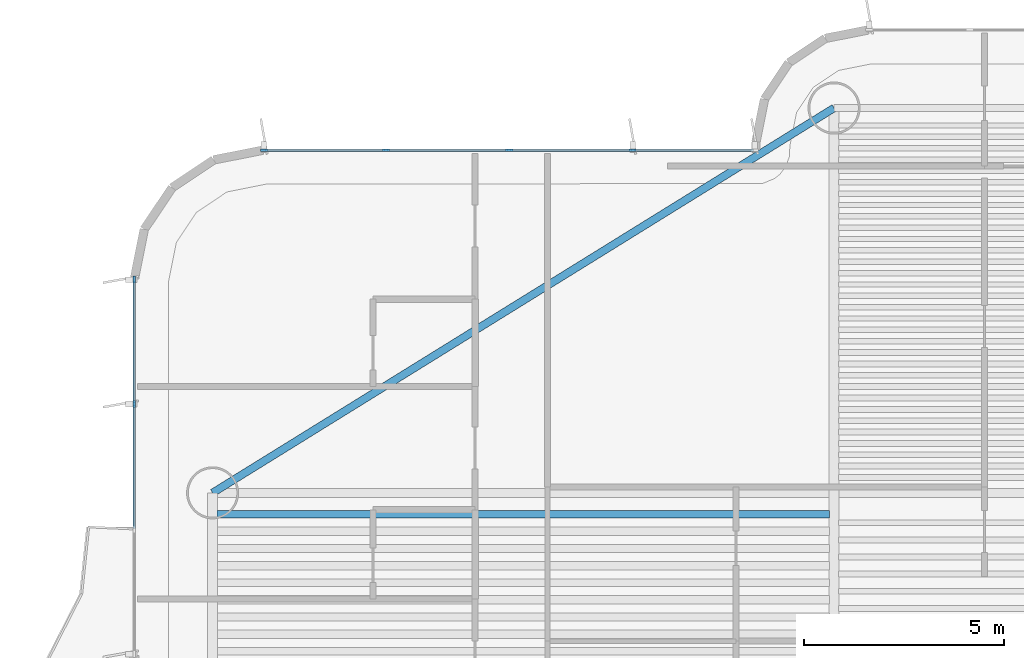
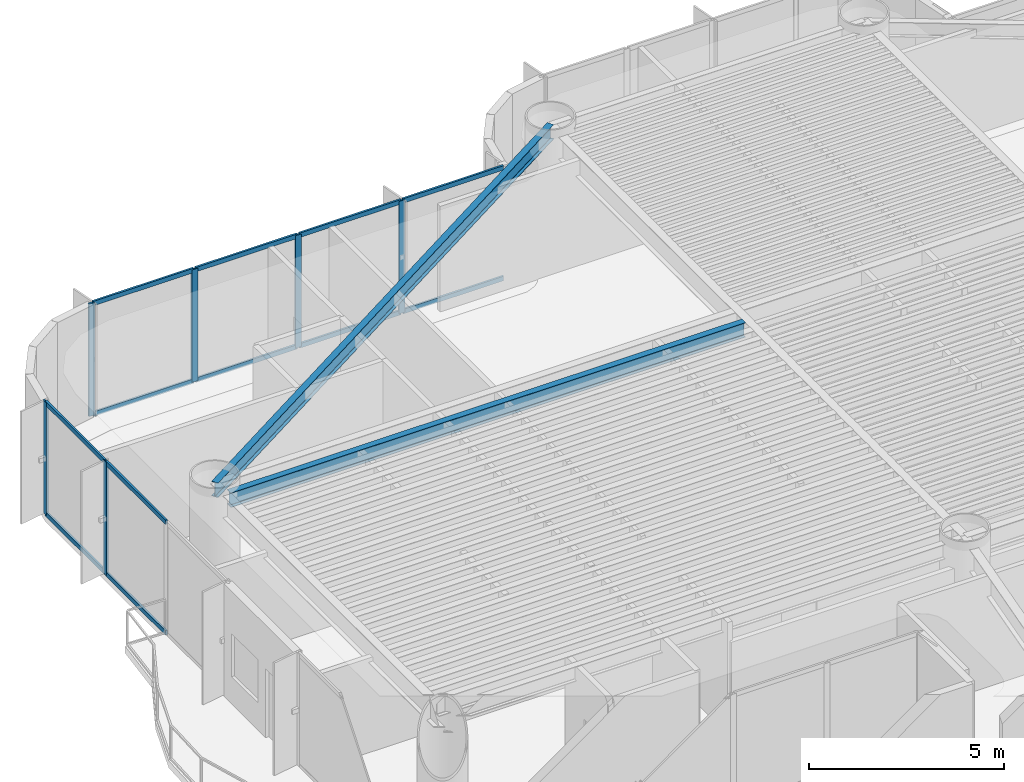
# One storey, part 5 of 17: 18 members, 2 beams, 2 elements without a shape of their own.
"""IFC4 building model written with IfcOpenShell, lengths in metres."""

from ifc_helpers import new_model, si_unit, direction, frame, origin, origin_2d, place, context, subcontext, project, spatial, rectangle, i_section, extrude, source, transform, mapped, material, layer, layer_set, material_profile, profile_set, type_object, element, aggregate, save


model = new_model("IFC4")

# Units and contexts
model_context = context("Model", 3, precision=1e-05, world=origin(), true_north=direction((0.0, 1.0)))
body_context = subcontext(model_context, "Body", "Model", "MODEL_VIEW")
ifc_project = project(units=[si_unit("LENGTHUNIT", "METRE"), si_unit("AREAUNIT", "SQUARE_METRE"), si_unit("VOLUMEUNIT", "CUBIC_METRE"), si_unit("PLANEANGLEUNIT", "RADIAN"), si_unit("MASSUNIT", "GRAM", prefix="KILO")], contexts=[model_context])

# Site, building, storey
site_placement = place(None, origin())
site = spatial("IfcSite", under=ifc_project, at=site_placement, CompositionType="ELEMENT")
building_placement = place(site_placement, origin())
building = spatial("IfcBuilding", under=site, at=building_placement, Name="Brelvock Crest Care Tower", CompositionType="ELEMENT")
storey_placement = place(building_placement, frame((0.0, 0.0, 131.39990234375)))
storey = spatial("IfcBuildingStorey", under=building, at=storey_placement, Name="L33", CompositionType="ELEMENT", Elevation=131.39990234375)

# Beams
ifc_material_1 = material(Name="Steel Grade 350", Category="steel")
ifc_material_profile_1 = material_profile(ifc_material_1, i_section(OverallWidth=0.19091796875, OverallDepth=0.4599609375, WebThickness=0.010009765625, FlangeThickness=0.01611328125, FilletRadius=0.011474609375, at=origin_2d()), Name="460UB82.1")
ifc_profile_set_1 = profile_set([ifc_material_profile_1], Name="Steel Grade 350")
beam_type_1 = type_object("IfcBeamType", Name="BM-G3", PredefinedType="BEAM", material=ifc_profile_set_1)
shared_shape_1 = source(origin(), body_context, "Body", "SweptSolid", [
    extrude(i_section(OverallWidth=0.19091796875, OverallDepth=0.4599609375, WebThickness=0.010009765625, FlangeThickness=0.01611328125, FilletRadius=0.011474609375, at=origin_2d()), origin(), (0.0, 0.0, 1.0), 15.27001953125),
])
beam_1_placement = place(storey_placement, frame((15.965087890625, 38.317626953125, 3.300048828125), z_axis=(1.0, 0.0, 0.0), x_axis=(0.0, 1.0, 0.0)))
element("IfcBeam", 1, at=beam_1_placement, inside=storey, type_object=beam_type_1, Name="BM-JW-L33-26", PredefinedType="BEAM", context=body_context, shape_type="MappedRepresentation", body=[
    mapped(shared_shape_1, transform((0.0, 0.0, 0.0), x_axis=(1.0, 0.0, 0.0), y_axis=(0.0, 1.0, 0.0), z_axis=(0.0, 0.0, 1.0), scale=1.0)),
])
ifc_material_profile_2 = material_profile(ifc_material_1, i_section(OverallWidth=0.19091796875, OverallDepth=0.4599609375, WebThickness=0.010009765625, FlangeThickness=0.01611328125, FilletRadius=0.011474609375, at=origin_2d()), Name="460UB82.1")
ifc_profile_set_2 = profile_set([ifc_material_profile_2], Name="Steel Grade 350")
beam_type_2 = type_object("IfcBeamType", Name="BM-SP2", PredefinedType="SPANDREL", material=ifc_profile_set_2)
shared_shape_2 = source(origin(), body_context, "Body", "SweptSolid", [
    extrude(i_section(OverallWidth=0.19091796875, OverallDepth=0.4599609375, WebThickness=0.010009765625, FlangeThickness=0.01611328125, FilletRadius=0.011474609375, at=origin_2d()), origin(), (0.0, 0.0, 1.0), 18.23193359375),
])
beam_2_placement = place(storey_placement, frame((15.85009765625, 38.85009765625, 3.300048828125), z_axis=(0.85015183248, 0.526537616635, 0.0), x_axis=(-0.526537616635, 0.85015183248, 0.0)))
element("IfcBeam", 2, at=beam_2_placement, inside=storey, type_object=beam_type_2, Name="BM-TWR-L33-06", PredefinedType="SPANDREL", context=body_context, shape_type="MappedRepresentation", body=[
    mapped(shared_shape_2, transform((0.0, 0.0, 0.0), x_axis=(1.0, 0.0, 0.0), y_axis=(0.0, 1.0, 0.0), z_axis=(0.0, 0.0, 1.0), scale=1.0)),
])

# Curtain wall, members
ifc_material_2 = material(Name="Dark Glass Double Glazed Low-E", Category="glass")
ifc_layer = layer(ifc_material_2, 0.2099609375, Name="CWS-3")
ifc_layer_set = layer_set([ifc_layer], Name="Dark Glass Double Glazed Low-E")
curtain_wall_type = type_object("IfcCurtainWallType", Name="CWS-3", PredefinedType="NOTDEFINED", material=ifc_layer_set)
curtain_wall_1_placement = place(storey_placement, origin())
curtain_wall_1 = element("IfcCurtainWall", 3, at=curtain_wall_1_placement, inside=storey, type_object=curtain_wall_type, Name="L33 Curtain Wall E17B", PredefinedType="NOTDEFINED")
ifc_material_3 = material(Name="Aluminium 6063-T6", Category="aluminium")
ifc_material_profile_3 = material_profile(ifc_material_3, rectangle(XDim=0.06005859375, YDim=0.179931640625, at=origin_2d()), Name="ALU60x180")
ifc_profile_set_3 = profile_set([ifc_material_profile_3], Name="Aluminium 6063-T6")
member_type_1 = type_object("IfcMemberType", Name="CWM-2", PredefinedType="MULLION", material=ifc_profile_set_3)
shared_shape_3 = source(origin(), body_context, "Body", "SweptSolid", [
    extrude(rectangle(XDim=0.06005859375, YDim=0.179931640625, at=origin_2d()), origin(), (0.0, 0.0, 1.0), 3.530029296875),
])
member_1_placement = place(storey_placement, frame((13.89990234375, 41.066650390625, 0.0), z_axis=(0.0, 0.0, 1.0), x_axis=(-1.0, 0.0, 0.0)))
member_1 = element("IfcMember", 4, at=member_1_placement, type_object=member_type_1, Name="CW-3 mullion 3", PredefinedType="MULLION", context=body_context, shape_type="MappedRepresentation", body=[
    mapped(shared_shape_3, transform((0.0, 0.0, 0.0), x_axis=(1.0, 0.0, 0.0), y_axis=(0.0, 1.0, 0.0), z_axis=(0.0, 0.0, 1.0), scale=1.0)),
])
member_2_placement = place(storey_placement, frame((13.89990234375, 44.169921875, 0.0), z_axis=(0.0, 0.0, 1.0), x_axis=(-1.0, 0.0, 0.0)))
member_2 = element("IfcMember", 5, at=member_2_placement, type_object=member_type_1, Name="CW-3 mullion 4", PredefinedType="MULLION", context=body_context, shape_type="MappedRepresentation", body=[
    mapped(shared_shape_3, transform((0.0, 0.0, 0.0), x_axis=(1.0, 0.0, 0.0), y_axis=(0.0, 1.0, 0.0), z_axis=(0.0, 0.0, 1.0), scale=1.0)),
])

curtain_wall_2_placement = place(storey_placement, origin())
curtain_wall_2 = element("IfcCurtainWall", 6, at=curtain_wall_2_placement, inside=storey, type_object=curtain_wall_type, Name="L33 Curtain Wall E22", PredefinedType="NOTDEFINED")
member_3_placement = place(storey_placement, frame((17.1298828125, 47.39990234375, 0.0), z_axis=(0.0, 0.0, 1.0), x_axis=(0.0, 1.0, 0.0)))
member_3 = element("IfcMember", 7, at=member_3_placement, type_object=member_type_1, Name="CW-3 mullion 1", PredefinedType="MULLION", context=body_context, shape_type="MappedRepresentation", body=[
    mapped(shared_shape_3, transform((0.0, 0.0, 0.0), x_axis=(1.0, 0.0, 0.0), y_axis=(0.0, 1.0, 0.0), z_axis=(0.0, 0.0, 1.0), scale=1.0)),
])
member_4_placement = place(storey_placement, frame((20.175048828125, 47.39990234375, 0.0), z_axis=(0.0, 0.0, 1.0), x_axis=(0.0, 1.0, 0.0)))
member_4 = element("IfcMember", 8, at=member_4_placement, type_object=member_type_1, Name="CW-3 mullion 2", PredefinedType="MULLION", context=body_context, shape_type="MappedRepresentation", body=[
    mapped(shared_shape_3, transform((0.0, 0.0, 0.0), x_axis=(1.0, 0.0, 0.0), y_axis=(0.0, 1.0, 0.0), z_axis=(0.0, 0.0, 1.0), scale=1.0)),
])
member_5_placement = place(storey_placement, frame((23.25, 47.39990234375, 0.0), z_axis=(0.0, 0.0, 1.0), x_axis=(0.0, 1.0, 0.0)))
member_5 = element("IfcMember", 9, at=member_5_placement, type_object=member_type_1, Name="CW-3 mullion 3", PredefinedType="MULLION", context=body_context, shape_type="MappedRepresentation", body=[
    mapped(shared_shape_3, transform((0.0, 0.0, 0.0), x_axis=(1.0, 0.0, 0.0), y_axis=(0.0, 1.0, 0.0), z_axis=(0.0, 0.0, 1.0), scale=1.0)),
])
member_6_placement = place(storey_placement, frame((26.324951171875, 47.39990234375, 0.0), z_axis=(0.0, 0.0, 1.0), x_axis=(0.0, 1.0, 0.0)))
member_6 = element("IfcMember", 10, at=member_6_placement, type_object=member_type_1, Name="CW-3 mullion 4", PredefinedType="MULLION", context=body_context, shape_type="MappedRepresentation", body=[
    mapped(shared_shape_3, transform((0.0, 0.0, 0.0), x_axis=(1.0, 0.0, 0.0), y_axis=(0.0, 1.0, 0.0), z_axis=(0.0, 0.0, 1.0), scale=1.0)),
])
ifc_material_profile_4 = material_profile(ifc_material_3, rectangle(XDim=0.06005859375, YDim=0.139892578125, at=origin_2d()), Name="ALU60x140")
ifc_profile_set_4 = profile_set([ifc_material_profile_4], Name="Aluminium 6063-T6")
member_type_2 = type_object("IfcMemberType", Name="CWT-2", PredefinedType="USERDEFINED", material=ifc_profile_set_4)
shared_shape_4 = source(origin(), body_context, "Body", "SweptSolid", [
    extrude(rectangle(XDim=0.06005859375, YDim=0.139892578125, at=origin_2d()), origin(), (0.0, 0.0, 1.0), 2.985107421875),
])
member_7_placement = place(storey_placement, frame((17.159912109375, 47.39990234375, 0.030029296875), z_axis=(1.0, 0.0, 0.0), x_axis=(0.0, 1.0, 0.0)))
member_7 = element("IfcMember", 11, at=member_7_placement, type_object=member_type_2, Name="CW-3 transom 1.1", ObjectType="TRANSOM", PredefinedType="USERDEFINED", context=body_context, shape_type="MappedRepresentation", body=[
    mapped(shared_shape_4, transform((0.0, 0.0, 0.0), x_axis=(1.0, 0.0, 0.0), y_axis=(0.0, 1.0, 0.0), z_axis=(0.0, 0.0, 1.0), scale=1.0)),
])
member_8_placement = place(storey_placement, frame((17.159912109375, 47.39990234375, 3.5), z_axis=(1.0, 0.0, 0.0), x_axis=(0.0, 1.0, 0.0)))
member_8 = element("IfcMember", 12, at=member_8_placement, type_object=member_type_2, Name="CW-3 transom 1.2", ObjectType="TRANSOM", PredefinedType="USERDEFINED", context=body_context, shape_type="MappedRepresentation", body=[
    mapped(shared_shape_4, transform((0.0, 0.0, 0.0), x_axis=(1.0, 0.0, 0.0), y_axis=(0.0, 1.0, 0.0), z_axis=(0.0, 0.0, 1.0), scale=1.0)),
])
member_9_placement = place(storey_placement, frame((26.35498046875, 47.39990234375, 0.030029296875), z_axis=(1.0, 0.0, 0.0), x_axis=(0.0, 1.0, 0.0)))
member_9 = element("IfcMember", 13, at=member_9_placement, type_object=member_type_2, Name="CW-3 transom 4.1", ObjectType="TRANSOM", PredefinedType="USERDEFINED", context=body_context, shape_type="MappedRepresentation", body=[
    mapped(shared_shape_4, transform((0.0, 0.0, 0.0), x_axis=(1.0, 0.0, 0.0), y_axis=(0.0, 1.0, 0.0), z_axis=(0.0, 0.0, 1.0), scale=1.0)),
])
member_10_placement = place(storey_placement, frame((26.35498046875, 47.39990234375, 3.5), z_axis=(1.0, 0.0, 0.0), x_axis=(0.0, 1.0, 0.0)))
member_10 = element("IfcMember", 14, at=member_10_placement, type_object=member_type_2, Name="CW-3 transom 4.2", ObjectType="TRANSOM", PredefinedType="USERDEFINED", context=body_context, shape_type="MappedRepresentation", body=[
    mapped(shared_shape_4, transform((0.0, 0.0, 0.0), x_axis=(1.0, 0.0, 0.0), y_axis=(0.0, 1.0, 0.0), z_axis=(0.0, 0.0, 1.0), scale=1.0)),
])
shared_shape_5 = source(origin(), body_context, "Body", "SweptSolid", [
    extrude(rectangle(XDim=0.06005859375, YDim=0.139892578125, at=origin_2d()), origin(), (0.0, 0.0, 1.0), 3.014892578125),
])
member_11_placement = place(storey_placement, frame((20.205078125, 47.39990234375, 0.030029296875), z_axis=(1.0, 0.0, 0.0), x_axis=(0.0, 1.0, 0.0)))
member_11 = element("IfcMember", 15, at=member_11_placement, type_object=member_type_2, Name="CW-3 transom 2.1", ObjectType="TRANSOM", PredefinedType="USERDEFINED", context=body_context, shape_type="MappedRepresentation", body=[
    mapped(shared_shape_5, transform((0.0, 0.0, 0.0), x_axis=(1.0, 0.0, 0.0), y_axis=(0.0, 1.0, 0.0), z_axis=(0.0, 0.0, 1.0), scale=1.0)),
])
member_12_placement = place(storey_placement, frame((20.205078125, 47.39990234375, 3.5), z_axis=(1.0, 0.0, 0.0), x_axis=(0.0, 1.0, 0.0)))
member_12 = element("IfcMember", 16, at=member_12_placement, type_object=member_type_2, Name="CW-3 transom 2.2", ObjectType="TRANSOM", PredefinedType="USERDEFINED", context=body_context, shape_type="MappedRepresentation", body=[
    mapped(shared_shape_5, transform((0.0, 0.0, 0.0), x_axis=(1.0, 0.0, 0.0), y_axis=(0.0, 1.0, 0.0), z_axis=(0.0, 0.0, 1.0), scale=1.0)),
])
member_13_placement = place(storey_placement, frame((23.280029296875, 47.39990234375, 0.030029296875), z_axis=(1.0, 0.0, 0.0), x_axis=(0.0, 1.0, 0.0)))
member_13 = element("IfcMember", 17, at=member_13_placement, type_object=member_type_2, Name="CW-3 transom 3.1", ObjectType="TRANSOM", PredefinedType="USERDEFINED", context=body_context, shape_type="MappedRepresentation", body=[
    mapped(shared_shape_5, transform((0.0, 0.0, 0.0), x_axis=(1.0, 0.0, 0.0), y_axis=(0.0, 1.0, 0.0), z_axis=(0.0, 0.0, 1.0), scale=1.0)),
])
member_14_placement = place(storey_placement, frame((23.280029296875, 47.39990234375, 3.5), z_axis=(1.0, 0.0, 0.0), x_axis=(0.0, 1.0, 0.0)))
member_14 = element("IfcMember", 18, at=member_14_placement, type_object=member_type_2, Name="CW-3 transom 3.2", ObjectType="TRANSOM", PredefinedType="USERDEFINED", context=body_context, shape_type="MappedRepresentation", body=[
    mapped(shared_shape_5, transform((0.0, 0.0, 0.0), x_axis=(1.0, 0.0, 0.0), y_axis=(0.0, 1.0, 0.0), z_axis=(0.0, 0.0, 1.0), scale=1.0)),
])
aggregate(curtain_wall_2, [member_3, member_4, member_5, member_6, member_7, member_8, member_11, member_12, member_13, member_14, member_9, member_10])

# Member
shared_shape_6 = source(origin(), body_context, "Body", "SweptSolid", [
    extrude(rectangle(XDim=0.06005859375, YDim=0.139892578125, at=origin_2d()), origin(), (0.0, 0.0, 1.0), 3.043212890625),
])
member_15_placement = place(storey_placement, frame((13.89990234375, 41.0966796875, 0.030029296875), z_axis=(0.0, 1.0, 0.0), x_axis=(-1.0, 0.0, 0.0)))
member_15 = element("IfcMember", 19, at=member_15_placement, type_object=member_type_2, Name="CW-3 transom 3.1", ObjectType="TRANSOM", PredefinedType="USERDEFINED", context=body_context, shape_type="MappedRepresentation", body=[
    mapped(shared_shape_6, transform((0.0, 0.0, 0.0), x_axis=(1.0, 0.0, 0.0), y_axis=(0.0, 1.0, 0.0), z_axis=(0.0, 0.0, 1.0), scale=1.0)),
])

member_16_placement = place(storey_placement, frame((13.89990234375, 41.0966796875, 3.5), z_axis=(0.0, 1.0, 0.0), x_axis=(-1.0, 0.0, 0.0)))
member_16 = element("IfcMember", 20, at=member_16_placement, type_object=member_type_2, Name="CW-3 transom 3.2", ObjectType="TRANSOM", PredefinedType="USERDEFINED", context=body_context, shape_type="MappedRepresentation", body=[
    mapped(shared_shape_6, transform((0.0, 0.0, 0.0), x_axis=(1.0, 0.0, 0.0), y_axis=(0.0, 1.0, 0.0), z_axis=(0.0, 0.0, 1.0), scale=1.0)),
])

shared_shape_7 = source(origin(), body_context, "Body", "SweptSolid", [
    extrude(rectangle(XDim=0.06005859375, YDim=0.139892578125, at=origin_2d()), origin(), (0.0, 0.0, 1.0), 3.0732421875),
])
member_17_placement = place(storey_placement, frame((13.89990234375, 37.96337890625, 0.030029296875), z_axis=(0.0, 1.0, 0.0), x_axis=(-1.0, 0.0, 0.0)))
member_17 = element("IfcMember", 21, at=member_17_placement, type_object=member_type_2, Name="CW-3 transom 2.1", ObjectType="TRANSOM", PredefinedType="USERDEFINED", context=body_context, shape_type="MappedRepresentation", body=[
    mapped(shared_shape_7, transform((0.0, 0.0, 0.0), x_axis=(1.0, 0.0, 0.0), y_axis=(0.0, 1.0, 0.0), z_axis=(0.0, 0.0, 1.0), scale=1.0)),
])

member_18_placement = place(storey_placement, frame((13.89990234375, 37.96337890625, 3.5), z_axis=(0.0, 1.0, 0.0), x_axis=(-1.0, 0.0, 0.0)))
member_18 = element("IfcMember", 22, at=member_18_placement, type_object=member_type_2, Name="CW-3 transom 2.2", ObjectType="TRANSOM", PredefinedType="USERDEFINED", context=body_context, shape_type="MappedRepresentation", body=[
    mapped(shared_shape_7, transform((0.0, 0.0, 0.0), x_axis=(1.0, 0.0, 0.0), y_axis=(0.0, 1.0, 0.0), z_axis=(0.0, 0.0, 1.0), scale=1.0)),
])

aggregate(curtain_wall_1, [member_1, member_2, member_17, member_18, member_15, member_16])

save(model, "model.ifc")
